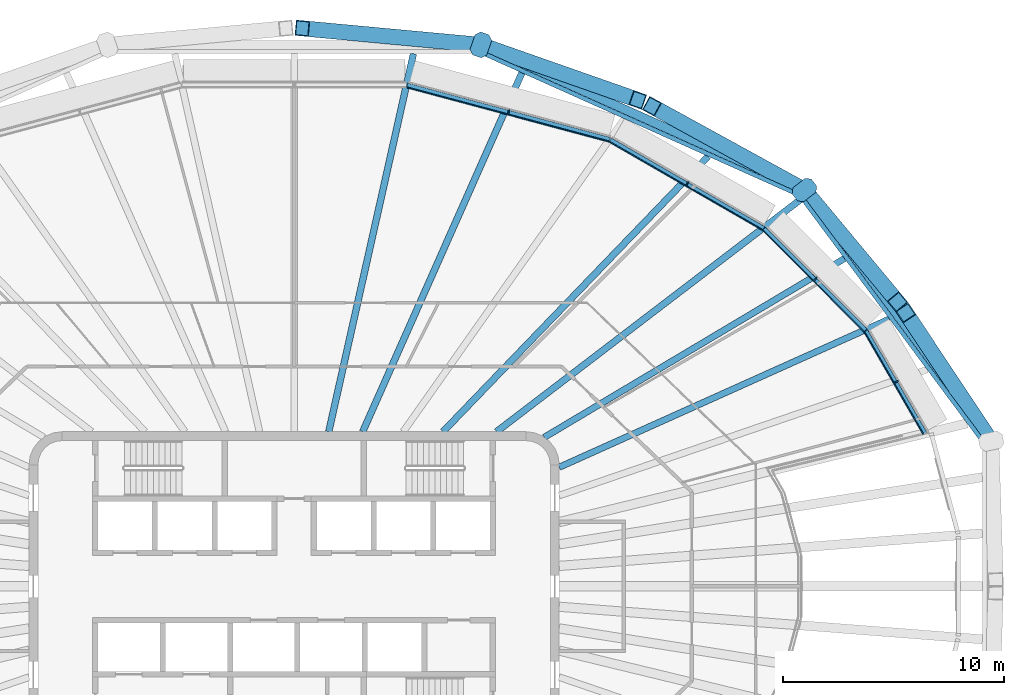
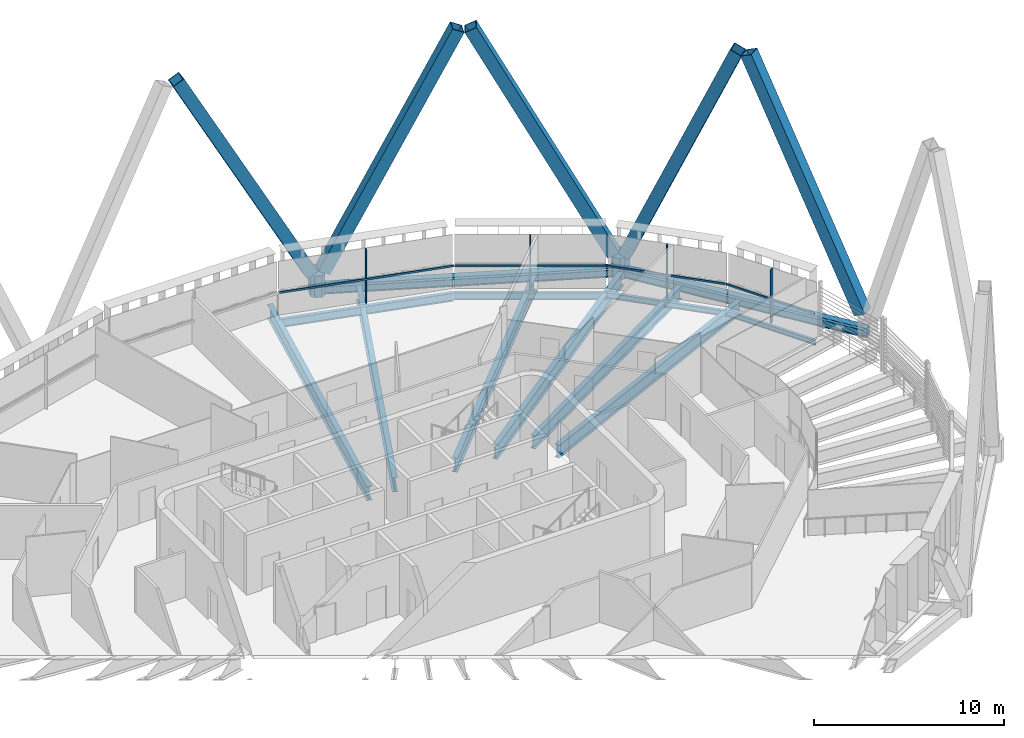
# One storey, part 8 of 20: 15 members, 14 beams, 4 elements without a shape of their own.
"""IFC4 building model written with IfcOpenShell, lengths in metres."""

from ifc_helpers import new_model, si_unit, direction, frame, origin, origin_2d, place, context, subcontext, project, spatial, polyline, rectangle, hollow_rectangle, i_section, outline, extrude, material, layer, layer_set, material_profile, profile_set, type_object, element, aggregate, save


model = new_model("IFC4")

# Units and contexts
model_context = context("Model", 3, precision=1e-05, world=origin(), true_north=direction((0.0, 1.0)))
body_context = subcontext(model_context, "Body", "Model", "MODEL_VIEW")
ifc_project = project(units=[si_unit("LENGTHUNIT", "METRE"), si_unit("AREAUNIT", "SQUARE_METRE"), si_unit("VOLUMEUNIT", "CUBIC_METRE"), si_unit("PLANEANGLEUNIT", "RADIAN"), si_unit("MASSUNIT", "GRAM", prefix="KILO")], contexts=[model_context])

# Site, building, storey
site_placement = place(None, origin())
site = spatial("IfcSite", under=ifc_project, at=site_placement, CompositionType="ELEMENT")
building_placement = place(site_placement, origin())
building = spatial("IfcBuilding", under=site, at=building_placement, Name="Sahrelin Media Tower", CompositionType="ELEMENT")
storey_placement = place(building_placement, frame((0.0, 0.0, 267.0)))
storey = spatial("IfcBuildingStorey", under=building, at=storey_placement, Name="L58", CompositionType="ELEMENT", Elevation=267.0)

# Members
ifc_material_1 = material(Name="Steel S460", Category="steel")
ifc_material_profile_1 = material_profile(ifc_material_1, hollow_rectangle(XDim=0.699951171875, YDim=0.699951171875, WallThickness=0.0400390625, at=origin_2d()), Name="Diagrid diagonal DG7")
ifc_profile_set_1 = profile_set([ifc_material_profile_1], Name="Steel S460")
member_type_1 = type_object("IfcMemberType", Name="Diagrid diagonal DG7", PredefinedType="BRACE", material=ifc_profile_set_1)
member_1_placement = place(storey_placement, frame((31.37353515625, 6.832275390625, 0.699951171875), z_axis=(-0.230056417556, 0.345639877226, 0.909729146511), x_axis=(-0.832461543053, -0.554082827146, 0.0)))
element("IfcMember", 1, at=member_1_placement, inside=storey, type_object=member_type_1, Name="Diagrid diagonal D13-01", PredefinedType="BRACE", context=body_context, shape_type="SweptSolid", body=[
    extrude(hollow_rectangle(XDim=0.699951171875, YDim=0.699951171875, WallThickness=0.0400390625, at=origin_2d()), origin(), (0.0, 0.0, 1.0), 16.048828125),
])
member_2_placement = place(storey_placement, frame((23.28955078125, 17.7080078125, 0.699951171875), z_axis=(0.253020215996, -0.303919147392, 0.918484579155), x_axis=(0.768526802736, 0.639817593909, 0.0)))
element("IfcMember", 2, at=member_2_placement, inside=storey, type_object=member_type_1, Name="Diagrid diagonal D13-02", PredefinedType="BRACE", context=body_context, shape_type="SweptSolid", body=[
    extrude(hollow_rectangle(XDim=0.699951171875, YDim=0.699951171875, WallThickness=0.0400390625, at=origin_2d()), origin(), (0.0, 0.0, 1.0), 15.895751953125),
])
member_3_placement = place(storey_placement, frame((22.781005859375, 18.11279296875, 0.699951171875), z_axis=(-0.401082737741, 0.220220071499, 0.889177011396), x_axis=(-0.481288676919, -0.876562153797, 0.0)))
element("IfcMember", 3, at=member_3_placement, inside=storey, type_object=member_type_1, Name="Diagrid diagonal D13-03", PredefinedType="BRACE", context=body_context, shape_type="SweptSolid", body=[
    extrude(hollow_rectangle(XDim=0.699951171875, YDim=0.699951171875, WallThickness=0.0400390625, at=origin_2d()), origin(), (0.0, 0.0, 1.0), 16.419677734375),
])
member_4_placement = place(storey_placement, frame((8.77880859375, 24.391845703125, 0.699951171875), z_axis=(0.416459406995, -0.146017384502, 0.897351929707), x_axis=(0.330868348448, 0.943676923526, 0.0)))
element("IfcMember", 4, at=member_4_placement, inside=storey, type_object=member_type_1, Name="Diagrid diagonal D13-04", PredefinedType="BRACE", context=body_context, shape_type="SweptSolid", body=[
    extrude(hollow_rectangle(XDim=0.699951171875, YDim=0.699951171875, WallThickness=0.0400390625, at=origin_2d()), origin(), (0.0, 0.0, 1.0), 16.270263671875),
])
member_5_placement = place(storey_placement, frame((8.083984375, 24.5400390625, 0.699951171875), z_axis=(-0.466722756786, 0.043323665084, 0.883341909083), x_axis=(-0.092427918345, -0.995719378093, 0.0)))
element("IfcMember", 5, at=member_5_placement, inside=storey, type_object=member_type_1, Name="Diagrid diagonal D13-05", PredefinedType="BRACE", context=body_context, shape_type="SweptSolid", body=[
    extrude(hollow_rectangle(XDim=0.699951171875, YDim=0.699951171875, WallThickness=0.0400390625, at=origin_2d()), origin(), (0.0, 0.0, 1.0), 16.5283203125),
])
ifc_material_profile_2 = material_profile(ifc_material_1, outline(polyline([(0.35009765625, -0.39990234375), (0.550048828125, -0.199951171875), (0.550048828125, 0.199951171875), (0.35009765625, 0.39990234375), (-0.35009765625, 0.39990234375), (-0.550048828125, 0.199951171875), (-0.550048828125, -0.199951171875), (-0.35009765625, -0.39990234375), (0.35009765625, -0.39990234375)])), Name="Diagrid node block 1100")
ifc_profile_set_2 = profile_set([ifc_material_profile_2], Name="Steel S460")
member_type_2 = type_object("IfcMemberType", Name="Diagrid node block 1100", PredefinedType="USERDEFINED", material=ifc_profile_set_2)
for number, where, z_axis, x_axis, name in (
    (6, (23.0966796875, 17.939453125, -0.699951171875), (0.0, 0.0, 1.0), (0.789760120156, 0.613415807272, 0.0), "Diagrid node N13-01"),
    (7, (8.4541015625, 24.505859375, -0.699951171875), (0.0, 0.0, 1.0), (0.326119279679, 0.945328628267, 0.0), "Diagrid node N13-02"),
):
    element("IfcMember", number, at=place(storey_placement, frame(where, z_axis=z_axis, x_axis=x_axis)), inside=storey, type_object=member_type_2, Name=name, ObjectType="NODE", PredefinedType="USERDEFINED", context=body_context, shape_type="SweptSolid", body=[
        extrude(outline(polyline([(0.35009765625, -0.39990234375), (0.550048828125, -0.199951171875), (0.550048828125, 0.199951171875), (0.35009765625, 0.39990234375), (-0.35009765625, 0.39990234375), (-0.550048828125, 0.199951171875), (-0.550048828125, -0.199951171875), (-0.35009765625, -0.39990234375), (0.35009765625, -0.39990234375)])), origin(), (0.0, 0.0, 1.0), 1.39990234375),
    ])

# Beams
ifc_material_profile_3 = material_profile(ifc_material_1, hollow_rectangle(XDim=0.39990234375, YDim=0.60009765625, WallThickness=0.030029296875, at=origin_2d()), Name="Diagrid ring beam RB1")
ifc_profile_set_3 = profile_set([ifc_material_profile_3], Name="Steel S460")
beam_type_1 = type_object("IfcBeamType", Name="Diagrid ring beam RB1", PredefinedType="BEAM", material=ifc_profile_set_3)
beam_1_placement = place(storey_placement, frame((31.550537109375, 6.56640625, -0.449951171875), z_axis=(-0.596565361307, 0.802564495657, 0.0), x_axis=(-0.802564495657, -0.596565361307, 0.0)))
element("IfcBeam", 8, at=beam_1_placement, inside=storey, type_object=beam_type_1, Name="Diagrid ring beam RB13-00", PredefinedType="BEAM", context=body_context, shape_type="SweptSolid", body=[
    extrude(hollow_rectangle(XDim=0.39990234375, YDim=0.60009765625, WallThickness=0.030029296875, at=origin_2d()), origin(), (0.0, 0.0, 1.0), 14.1708984375),
])
beam_2_placement = place(storey_placement, frame((23.0966796875, 17.939453125, -0.449951171875), z_axis=(-0.912451353014, 0.409185200591, 0.0), x_axis=(-0.409185200591, -0.912451353014, 0.0)))
element("IfcBeam", 9, at=beam_2_placement, inside=storey, type_object=beam_type_1, Name="Diagrid ring beam RB13-01", PredefinedType="BEAM", context=body_context, shape_type="SweptSolid", body=[
    extrude(hollow_rectangle(XDim=0.39990234375, YDim=0.60009765625, WallThickness=0.030029296875, at=origin_2d()), origin(), (0.0, 0.0, 1.0), 16.047607421875),
])
ifc_material_2 = material(Name="Steel S355", Category="steel")
ifc_material_profile_4 = material_profile(ifc_material_2, i_section(OverallWidth=0.1650390625, OverallDepth=0.303466796875, WebThickness=0.006103515625, FlangeThickness=0.01025390625, FilletRadius=0.0087890625, at=origin_2d()), Name="UB 305x165x40")
ifc_profile_set_4 = profile_set([ifc_material_profile_4], Name="Steel S355")
beam_type_2 = type_object("IfcBeamType", Name="Edge beam EB2", PredefinedType="BEAM", material=ifc_profile_set_4)
beam_3_placement = place(storey_placement, frame((25.882568359375, 11.572021484375, -0.3017578125), z_axis=(0.500009192644, -0.866020096344, 0.0), x_axis=(0.866020096344, 0.500009192644, 0.0)))
element("IfcBeam", 10, at=beam_3_placement, inside=storey, type_object=beam_type_2, Name="Edge beam L58-20", PredefinedType="BEAM", context=body_context, shape_type="SweptSolid", body=[
    extrude(i_section(OverallWidth=0.1650390625, OverallDepth=0.303466796875, WebThickness=0.006103515625, FlangeThickness=0.01025390625, FilletRadius=0.0087890625, at=origin_2d()), origin(), (0.0, 0.0, 1.0), 5.38037109375),
])
ifc_material_profile_5 = material_profile(ifc_material_2, i_section(OverallWidth=0.17138671875, OverallDepth=0.35498046875, WebThickness=0.00732421875, FlangeThickness=0.011474609375, FilletRadius=0.01025390625, at=origin_2d()), Name="UB 356x171x51")
ifc_profile_set_5 = profile_set([ifc_material_profile_5], Name="Steel S355")
beam_type_3 = type_object("IfcBeamType", Name="Edge beam EB3", PredefinedType="BEAM", material=ifc_profile_set_5)
beam_4_placement = place(storey_placement, frame((21.2763671875, 16.18359375, -0.327392578125), z_axis=(0.707087970402, -0.70712559147, 0.0), x_axis=(0.70712559147, 0.707087970402, 0.0)))
element("IfcBeam", 11, at=beam_4_placement, inside=storey, type_object=beam_type_3, Name="Edge beam L58-19", PredefinedType="BEAM", context=body_context, shape_type="SweptSolid", body=[
    extrude(i_section(OverallWidth=0.17138671875, OverallDepth=0.35498046875, WebThickness=0.00732421875, FlangeThickness=0.011474609375, FilletRadius=0.01025390625, at=origin_2d()), origin(), (0.0, 0.0, 1.0), 6.489501953125),
])
ifc_material_profile_6 = material_profile(ifc_material_2, i_section(OverallWidth=0.1904296875, OverallDepth=0.45703125, WebThickness=0.009033203125, FlangeThickness=0.014404296875, FilletRadius=0.01025390625, at=origin_2d()), Name="UB 457x191x74")
ifc_profile_set_6 = profile_set([ifc_material_profile_6], Name="Steel S355")
beam_type_4 = type_object("IfcBeamType", Name="Edge beam EB5", PredefinedType="BEAM", material=ifc_profile_set_6)
beam_5_placement = place(storey_placement, frame((14.318115234375, 20.205078125, -0.37841796875), z_axis=(0.866022619654, -0.500004822225, 0.0), x_axis=(0.500004822225, 0.866022619654, 0.0)))
element("IfcBeam", 12, at=beam_5_placement, inside=storey, type_object=beam_type_4, Name="Edge beam L58-18", PredefinedType="BEAM", context=body_context, shape_type="SweptSolid", body=[
    extrude(i_section(OverallWidth=0.1904296875, OverallDepth=0.45703125, WebThickness=0.009033203125, FlangeThickness=0.014404296875, FilletRadius=0.01025390625, at=origin_2d()), origin(), (0.0, 0.0, 1.0), 8.00830078125),
])
ifc_material_profile_7 = material_profile(ifc_material_2, i_section(OverallWidth=0.208740234375, OverallDepth=0.5283203125, WebThickness=0.009521484375, FlangeThickness=0.01318359375, FilletRadius=0.0126953125, at=origin_2d()), Name="UB 533x210x82")
ifc_profile_set_7 = profile_set([ifc_material_profile_7], Name="Steel S355")
beam_type_5 = type_object("IfcBeamType", Name="Edge beam EB6", PredefinedType="BEAM", material=ifc_profile_set_7)
beam_6_placement = place(storey_placement, frame((5.1103515625, 22.67626953125, -0.4140625), z_axis=(0.965929019762, -0.258807126605, 0.0), x_axis=(0.258807126605, 0.965929019762, 0.0)))
element("IfcBeam", 13, at=beam_6_placement, inside=storey, type_object=beam_type_5, Name="Edge beam L58-17", PredefinedType="BEAM", context=body_context, shape_type="SweptSolid", body=[
    extrude(i_section(OverallWidth=0.208740234375, OverallDepth=0.5283203125, WebThickness=0.009521484375, FlangeThickness=0.01318359375, FilletRadius=0.0126953125, at=origin_2d()), origin(), (0.0, 0.0, 1.0), 9.5048828125),
])

# Curtain wall, member
ifc_material_3 = material(Name="Champagne anodised aluminium 6063-T6", Category="aluminium")
ifc_layer = layer(ifc_material_3, 0.14990234375)
ifc_layer_set = layer_set([ifc_layer], Name="Tower ribbon curtain wall")
curtain_wall_type = type_object("IfcCurtainWallType", Name="Tower ribbon curtain wall", PredefinedType="NOTDEFINED", material=ifc_layer_set)
curtain_wall_1_placement = place(storey_placement, frame((27.357666015625, 9.3173828125, 0.0), z_axis=(0.0, 0.0, 1.0), x_axis=(1.0, 0.0, 0.0)))
curtain_wall_1 = element("IfcCurtainWall", 14, at=curtain_wall_1_placement, inside=storey, type_object=curtain_wall_type, Name="L58:CW:L58-02", PredefinedType="NOTDEFINED")
ifc_material_profile_8 = material_profile(ifc_material_3, rectangle(XDim=0.06005859375, YDim=0.199951171875, at=origin_2d()), Name="Mullion 60x200")
ifc_profile_set_8 = profile_set([ifc_material_profile_8], Name="Champagne anodised aluminium 6063-T6")
member_type_3 = type_object("IfcMemberType", Name="Mullion 60x200 CW1C", PredefinedType="MULLION", material=ifc_profile_set_8)
member_6_placement = place(storey_placement, frame((27.253662109375, 9.257080078125, 0.0), z_axis=(0.0, 0.0, 1.0), x_axis=(-0.500007557478, 0.866021040428, 0.0)))
member_6 = element("IfcMember", 15, at=member_6_placement, type_object=member_type_3, Name="L58:CWM:L58-02", PredefinedType="MULLION", context=body_context, shape_type="SweptSolid", body=[
    extrude(rectangle(XDim=0.06005859375, YDim=0.199951171875, at=origin_2d()), origin(), (0.0, 0.0, 1.0), 3.448486328125),
])

curtain_wall_2_placement = place(storey_placement, frame((23.6767578125, 13.9951171875, 0.0), z_axis=(0.0, 0.0, 1.0), x_axis=(1.0, 0.0, 0.0)))
curtain_wall_2 = element("IfcCurtainWall", 16, at=curtain_wall_2_placement, inside=storey, type_object=curtain_wall_type, Name="L58:CW:L58-03", PredefinedType="NOTDEFINED")
member_7_placement = place(storey_placement, frame((23.591796875, 13.910400390625, 0.0), z_axis=(0.0, 0.0, 1.0), x_axis=(-0.707106781187, 0.707106781187, 0.0)))
member_7 = element("IfcMember", 17, at=member_7_placement, type_object=member_type_3, Name="L58:CWM:L58-03", PredefinedType="MULLION", context=body_context, shape_type="SweptSolid", body=[
    extrude(rectangle(XDim=0.06005859375, YDim=0.199951171875, at=origin_2d()), origin(), (0.0, 0.0, 1.0), 3.448486328125),
])

curtain_wall_3_placement = place(storey_placement, frame((17.86083984375, 18.3330078125, 0.0), z_axis=(0.0, 0.0, 1.0), x_axis=(1.0, 0.0, 0.0)))
curtain_wall_3 = element("IfcCurtainWall", 18, at=curtain_wall_3_placement, inside=storey, type_object=curtain_wall_type, Name="L58:CW:L58-04", PredefinedType="NOTDEFINED")
member_8_placement = place(storey_placement, frame((17.80078125, 18.22900390625, 0.0), z_axis=(0.0, 0.0, 1.0), x_axis=(-0.866025403784, 0.5, 0.0)))
member_8 = element("IfcMember", 19, at=member_8_placement, type_object=member_type_3, Name="L58:CWM:L58-04", PredefinedType="MULLION", context=body_context, shape_type="SweptSolid", body=[
    extrude(rectangle(XDim=0.06005859375, YDim=0.199951171875, at=origin_2d()), origin(), (0.0, 0.0, 1.0), 3.448486328125),
])

curtain_wall_4_placement = place(storey_placement, frame((9.73974609375, 21.59130859375, 0.0), z_axis=(0.0, 0.0, 1.0), x_axis=(1.0, 0.0, 0.0)))
curtain_wall_4 = element("IfcCurtainWall", 20, at=curtain_wall_4_placement, inside=storey, type_object=curtain_wall_type, Name="L58:CW:L58-05", PredefinedType="NOTDEFINED")
member_9_placement = place(storey_placement, frame((9.708740234375, 21.47509765625, 0.0), z_axis=(0.0, 0.0, 1.0), x_axis=(-0.965924922834, 0.258822416818, 0.0)))
member_9 = element("IfcMember", 21, at=member_9_placement, type_object=member_type_3, Name="L58:CWM:L58-05", PredefinedType="MULLION", context=body_context, shape_type="SweptSolid", body=[
    extrude(rectangle(XDim=0.06005859375, YDim=0.199951171875, at=origin_2d()), origin(), (0.0, 0.0, 1.0), 3.448486328125),
])

# Beams
ifc_material_profile_9 = material_profile(ifc_material_2, i_section(OverallWidth=0.291748046875, OverallDepth=0.8349609375, WebThickness=0.013916015625, FlangeThickness=0.018798828125, FilletRadius=0.017822265625, at=origin_2d()), Name="UB 838x292x176")
ifc_profile_set_9 = profile_set([ifc_material_profile_9], Name="Steel S355")
beam_type_6 = type_object("IfcBeamType", Name="Radial primary beam PB10", PredefinedType="BEAM", material=ifc_profile_set_9)
beam_7_placement = place(storey_placement, frame((12.0, 5.39013671875, -0.5673828125), z_axis=(0.912200990359, 0.409743033116, 0.0), x_axis=(-0.409743033116, 0.912200990359, 0.0)))
element("IfcBeam", 22, at=beam_7_placement, inside=storey, type_object=beam_type_6, Name="Radial beam L58-03", PredefinedType="BEAM", context=body_context, shape_type="SweptSolid", body=[
    extrude(i_section(OverallWidth=0.291748046875, OverallDepth=0.8349609375, WebThickness=0.013916015625, FlangeThickness=0.018798828125, FilletRadius=0.017822265625, at=origin_2d()), origin(), (0.0, 0.0, 1.0), 16.38134765625),
])
ifc_material_profile_10 = material_profile(ifc_material_2, i_section(OverallWidth=0.30322265625, OverallDepth=0.903076171875, WebThickness=0.01513671875, FlangeThickness=0.020263671875, FilletRadius=0.01904296875, at=origin_2d()), Name="UB 914x305x201")
ifc_profile_set_10 = profile_set([ifc_material_profile_10], Name="Steel S355")
beam_type_7 = type_object("IfcBeamType", Name="Radial primary beam PB11", PredefinedType="BEAM", material=ifc_profile_set_10)
beam_8_placement = place(storey_placement, frame((9.16455078125, 7.0, -0.6015625), z_axis=(0.794694720447, 0.607009309067, 0.0), x_axis=(-0.607009309067, 0.794694720447, 0.0)))
element("IfcBeam", 23, at=beam_8_placement, inside=storey, type_object=beam_type_7, Name="Radial beam L58-04", PredefinedType="BEAM", context=body_context, shape_type="SweptSolid", body=[
    extrude(i_section(OverallWidth=0.30322265625, OverallDepth=0.903076171875, WebThickness=0.01513671875, FlangeThickness=0.020263671875, FilletRadius=0.01904296875, at=origin_2d()), origin(), (0.0, 0.0, 1.0), 17.313720703125),
])
beam_9_placement = place(storey_placement, frame((1.568603515625, 7.0, -0.6015625), z_axis=(0.218665284785, 0.975799924795, 0.0), x_axis=(-0.975799924795, 0.218665284785, 0.0)))
element("IfcBeam", 24, at=beam_9_placement, inside=storey, type_object=beam_type_7, Name="Radial beam L58-06", PredefinedType="BEAM", context=body_context, shape_type="SweptSolid", body=[
    extrude(i_section(OverallWidth=0.30322265625, OverallDepth=0.903076171875, WebThickness=0.01513671875, FlangeThickness=0.020263671875, FilletRadius=0.01904296875, at=origin_2d()), origin(), (0.0, 0.0, 1.0), 17.53466796875),
])
ifc_material_profile_11 = material_profile(ifc_material_2, i_section(OverallWidth=0.291748046875, OverallDepth=0.8349609375, WebThickness=0.013916015625, FlangeThickness=0.018798828125, FilletRadius=0.017822265625, at=origin_2d()), Name="UB 838x292x176")
ifc_profile_set_11 = profile_set([ifc_material_profile_11], Name="Steel S355")
beam_type_8 = type_object("IfcBeamType", Name="Radial secondary beam SB10", PredefinedType="BEAM", material=ifc_profile_set_11)
beam_10_placement = place(storey_placement, frame((11.32177734375, 6.743896484375, -0.5673828125), z_axis=(0.859123060499, 0.511769056234, 0.0), x_axis=(-0.511769056234, 0.859123060499, 0.0)))
element("IfcBeam", 25, at=beam_10_placement, inside=storey, type_object=beam_type_8, Name="Secondary beam L58-03", PredefinedType="BEAM", context=body_context, shape_type="SweptSolid", body=[
    extrude(i_section(OverallWidth=0.291748046875, OverallDepth=0.8349609375, WebThickness=0.013916015625, FlangeThickness=0.018798828125, FilletRadius=0.017822265625, at=origin_2d()), origin(), (0.0, 0.0, 1.0), 15.815673828125),
])
ifc_material_profile_12 = material_profile(ifc_material_2, i_section(OverallWidth=0.30322265625, OverallDepth=0.903076171875, WebThickness=0.01513671875, FlangeThickness=0.020263671875, FilletRadius=0.01904296875, at=origin_2d()), Name="UB 914x305x201")
ifc_profile_set_12 = profile_set([ifc_material_profile_12], Name="Steel S355")
beam_type_9 = type_object("IfcBeamType", Name="Radial secondary beam SB11", PredefinedType="BEAM", material=ifc_profile_set_12)
beam_11_placement = place(storey_placement, frame((6.740966796875, 7.0, -0.6015625), z_axis=(0.693643314436, 0.720318646391, 0.0), x_axis=(-0.720318646391, 0.693643314436, 0.0)))
element("IfcBeam", 26, at=beam_11_placement, inside=storey, type_object=beam_type_9, Name="Secondary beam L58-04", PredefinedType="BEAM", context=body_context, shape_type="SweptSolid", body=[
    extrude(i_section(OverallWidth=0.30322265625, OverallDepth=0.903076171875, WebThickness=0.01513671875, FlangeThickness=0.020263671875, FilletRadius=0.01904296875, at=origin_2d()), origin(), (0.0, 0.0, 1.0), 17.2978515625),
])
beam_12_placement = place(storey_placement, frame((3.10498046875, 7.0, -0.6015625), z_axis=(0.40548556811, 0.91410144626, 0.0), x_axis=(-0.91410144626, 0.40548556811, 0.0)))
element("IfcBeam", 27, at=beam_12_placement, inside=storey, type_object=beam_type_9, Name="Secondary beam L58-05", PredefinedType="BEAM", context=body_context, shape_type="SweptSolid", body=[
    extrude(i_section(OverallWidth=0.30322265625, OverallDepth=0.903076171875, WebThickness=0.01513671875, FlangeThickness=0.020263671875, FilletRadius=0.01904296875, at=origin_2d()), origin(), (0.0, 0.0, 1.0), 17.7666015625),
])
ifc_material_profile_13 = material_profile(ifc_material_2, i_section(OverallWidth=0.1904296875, OverallDepth=0.45703125, WebThickness=0.009033203125, FlangeThickness=0.014404296875, FilletRadius=0.01025390625, at=origin_2d()), Name="UB 457x191x74")
ifc_profile_set_13 = profile_set([ifc_material_profile_13], Name="Steel S355")
beam_type_10 = type_object("IfcBeamType", Name="Tie chord TC5", PredefinedType="BEAM", material=ifc_profile_set_13)
beam_13_placement = place(storey_placement, frame((8.389892578125, 24.20556640625, -0.37841796875), z_axis=(0.91245379845, -0.409179747414, 0.0), x_axis=(0.409179747414, 0.91245379845, 0.0)))
element("IfcBeam", 28, at=beam_13_placement, inside=storey, type_object=beam_type_10, Name="Tie chord L58-11", PredefinedType="BEAM", context=body_context, shape_type="SweptSolid", body=[
    extrude(i_section(OverallWidth=0.1904296875, OverallDepth=0.45703125, WebThickness=0.009033203125, FlangeThickness=0.014404296875, FilletRadius=0.01025390625, at=origin_2d()), origin(), (0.0, 0.0, 1.0), 15.905029296875),
])
beam_14_placement = place(storey_placement, frame((22.902587890625, 17.697509765625, -0.37841796875), z_axis=(0.596558144765, -0.802569859835, 0.0), x_axis=(0.802569859835, 0.596558144765, 0.0)))
element("IfcBeam", 29, at=beam_14_placement, inside=storey, type_object=beam_type_10, Name="Tie chord L58-12", PredefinedType="BEAM", context=body_context, shape_type="SweptSolid", body=[
    extrude(i_section(OverallWidth=0.1904296875, OverallDepth=0.45703125, WebThickness=0.009033203125, FlangeThickness=0.014404296875, FilletRadius=0.01025390625, at=origin_2d()), origin(), (0.0, 0.0, 1.0), 13.993408203125),
])

# Member
ifc_material_profile_14 = material_profile(ifc_material_3, rectangle(XDim=0.050048828125, YDim=0.1201171875, at=origin_2d()), Name="Transom 50x120")
ifc_profile_set_14 = profile_set([ifc_material_profile_14], Name="Champagne anodised aluminium 6063-T6")
member_type_4 = type_object("IfcMemberType", Name="Transom 50x120 CW1C", PredefinedType="USERDEFINED", material=ifc_profile_set_14)
member_10_placement = place(storey_placement, frame((28.482666015625, 6.878662109375, 1.60009765625), z_axis=(-0.500031950903, 0.866006956136, 0.0), x_axis=(-0.866006956136, -0.500031950903, 0.0)))
member_10 = element("IfcMember", 30, at=member_10_placement, type_object=member_type_4, Name="L58:CWT:L58-02", ObjectType="TRANSOM", PredefinedType="USERDEFINED", context=body_context, shape_type="SweptSolid", body=[
    extrude(rectangle(XDim=0.050048828125, YDim=0.1201171875, at=origin_2d()), origin(), (0.0, 0.0, 1.0), 5.348876953125),
])

aggregate(curtain_wall_1, [member_6, member_10])

member_11_placement = place(storey_placement, frame((25.786865234375, 11.538818359375, 1.60009765625), z_axis=(-0.707125682984, 0.707087878884, 0.0), x_axis=(-0.707087878884, -0.707125682984, 0.0)))
member_11 = element("IfcMember", 31, at=member_11_placement, type_object=member_type_4, Name="L58:CWT:L58-03", ObjectType="TRANSOM", PredefinedType="USERDEFINED", context=body_context, shape_type="SweptSolid", body=[
    extrude(rectangle(XDim=0.050048828125, YDim=0.1201171875, at=origin_2d()), origin(), (0.0, 0.0, 1.0), 6.4580078125),
])

aggregate(curtain_wall_2, [member_7, member_11])

member_12_placement = place(storey_placement, frame((21.1923828125, 16.126708984375, 1.60009765625), z_axis=(-0.866034723298, 0.499983857782, 0.0), x_axis=(-0.499983857782, -0.866034723298, 0.0)))
member_12 = element("IfcMember", 32, at=member_12_placement, type_object=member_type_4, Name="L58:CWT:L58-04", ObjectType="TRANSOM", PredefinedType="USERDEFINED", context=body_context, shape_type="SweptSolid", body=[
    extrude(rectangle(XDim=0.050048828125, YDim=0.1201171875, at=origin_2d()), origin(), (0.0, 0.0, 1.0), 7.976806640625),
])

aggregate(curtain_wall_3, [member_8, member_12])

member_13_placement = place(storey_placement, frame((14.251708984375, 20.12841796875, 1.60009765625), z_axis=(-0.965921133563, 0.258836557961, 0.0), x_axis=(-0.258836557961, -0.965921133563, 0.0)))
member_13 = element("IfcMember", 33, at=member_13_placement, type_object=member_type_4, Name="L58:CWT:L58-05", ObjectType="TRANSOM", PredefinedType="USERDEFINED", context=body_context, shape_type="SweptSolid", body=[
    extrude(rectangle(XDim=0.050048828125, YDim=0.1201171875, at=origin_2d()), origin(), (0.0, 0.0, 1.0), 9.4736328125),
])

aggregate(curtain_wall_4, [member_9, member_13])

save(model, "model.ifc")
